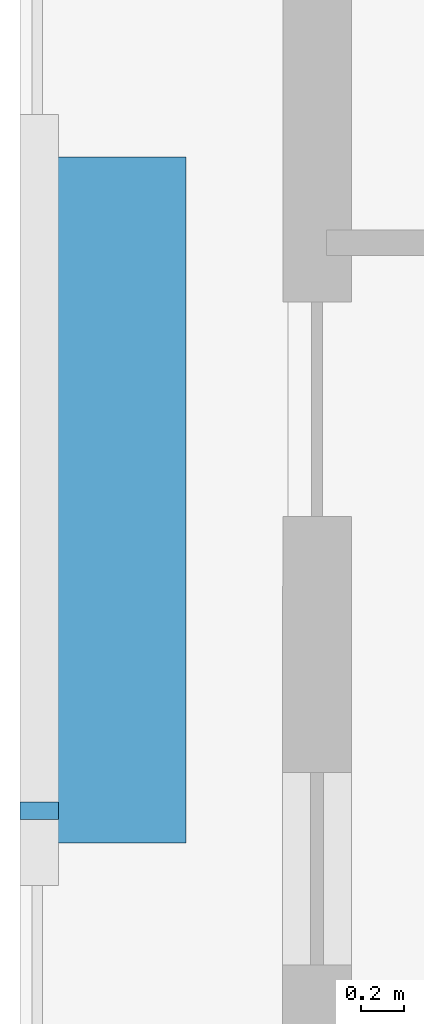
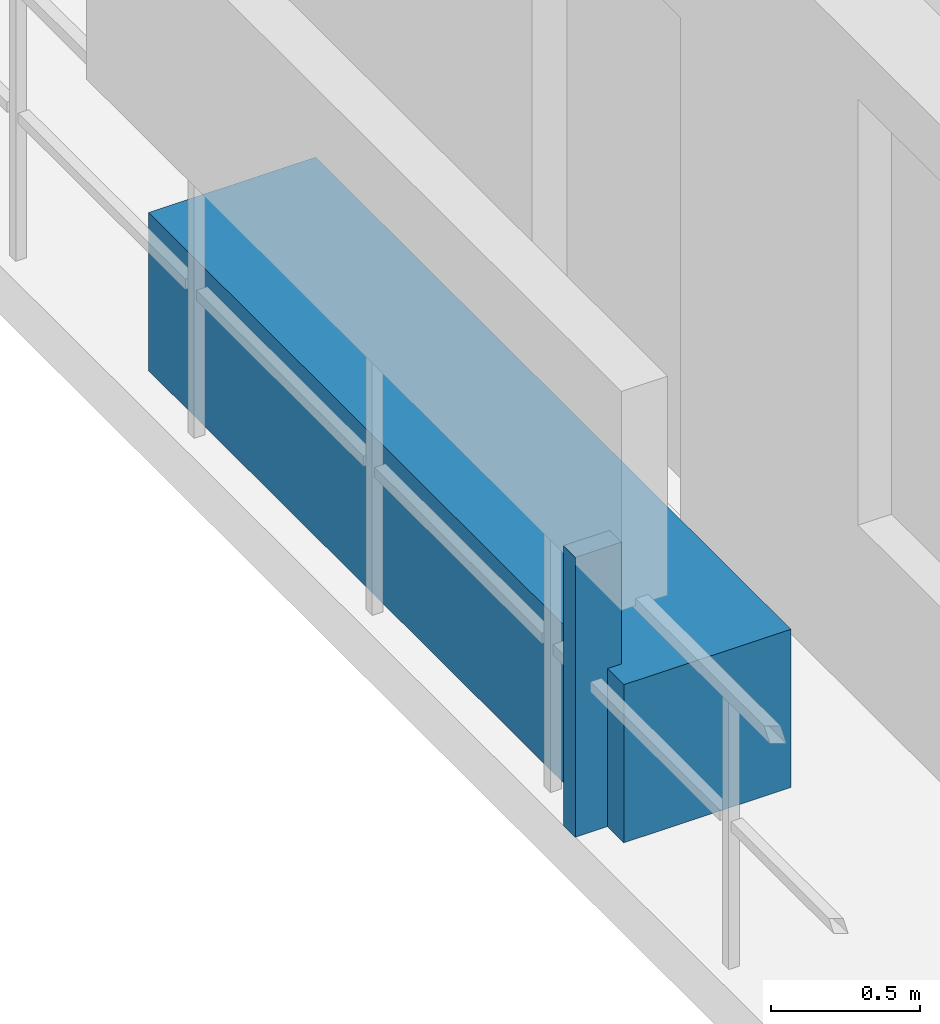
# One storey, part 28 of 33: 2 discrete accessories.
"""IFC4 building model written with IfcOpenShell, lengths in metres."""

import ifcopenshell
import ifcopenshell.guid

model = None  # the IFC model being written
_history = None  # IfcOwnerHistory: only IFC2X3 demands one
_inside = {}  # id of a spatial element -> (the spatial element, [elements in it])
_under = {}  # id of a project, library or spatial element -> (it, [spatial elements below it])
_declared = {}  # id of a project -> (the project, [libraries it declares])
_typed = {}  # id of a type object -> (the type object, [elements of that type])
_made_of = {}  # id of a material, layer set ... -> (it, [elements and type objects made of it])


def new_model(schema):
    """Start an empty IFC model of exactly this schema.

    Asked for "IFC4X3", IfcOpenShell would pick the latest addendum, in which some entities
    have other attributes; the version numbers below select the first issue.
    IFC2X3 requires an IfcOwnerHistory on every rooted entity: one is made here for all.
    """
    global model, _history
    if schema == "IFC4X3":
        model = ifcopenshell.file(schema_version=(4, 3, 0, 0))
    else:
        model = ifcopenshell.file(schema=schema)
    _inside.clear()
    _under.clear()
    _declared.clear()
    _typed.clear()
    _made_of.clear()
    _history = None
    if model.schema == "IFC2X3":
        org = make("IfcOrganization", Name="unknown")
        user = make(
            "IfcPersonAndOrganization",
            ThePerson=make("IfcPerson", FamilyName="unknown"),
            TheOrganization=org,
        )
        app = make(
            "IfcApplication",
            ApplicationDeveloper=org,
            Version="unknown",
            ApplicationFullName="unknown",
            ApplicationIdentifier="unknown",
        )
        _history = make(
            "IfcOwnerHistory",
            OwningUser=user,
            OwningApplication=app,
            ChangeAction="ADDED",
            CreationDate=0,
        )
    return model


def make(cls, **values):
    """One entity of the class cls with the attributes given. An attribute that is None is left unset."""
    return model.create_entity(
        cls, **{name: value for name, value in values.items() if value is not None}
    )


def rooted(cls, **values):
    """An entity with a GlobalId (a new one), such as an element, a storey or a relation."""
    return make(cls, GlobalId=ifcopenshell.guid.new(), OwnerHistory=_history, **values)


def si_unit(unit_type, name, prefix=None):
    """IfcSIUnit, for example si_unit("LENGTHUNIT", "METRE", prefix="MILLI")."""
    return make("IfcSIUnit", UnitType=unit_type, Prefix=prefix, Name=name)


def assignment(units):
    """IfcUnitAssignment: the units of a project."""
    return None if units is None else make("IfcUnitAssignment", Units=units)


def point(xyz):
    """IfcCartesianPoint."""
    return None if xyz is None else make("IfcCartesianPoint", Coordinates=xyz)


def direction(xyz):
    """IfcDirection."""
    return None if xyz is None else make("IfcDirection", DirectionRatios=xyz)


def frame(location, z_axis=None, x_axis=None):
    """IfcAxis2Placement3D, a coordinate frame: its origin and axes. An axis left out is left unset."""
    return make(
        "IfcAxis2Placement3D",
        Location=point(location),
        Axis=direction(z_axis),
        RefDirection=direction(x_axis),
    )


def frame_2d(location, x_axis=None):
    """IfcAxis2Placement2D, a coordinate frame in the plane: its origin and x axis."""
    return make(
        "IfcAxis2Placement2D", Location=point(location), RefDirection=direction(x_axis)
    )


def origin():
    """The frame at (0, 0, 0) with its axes left unset."""
    return frame((0.0, 0.0, 0.0))


def origin_2d():
    """The frame at (0, 0) in the plane with its x axis left unset."""
    return frame_2d((0.0, 0.0))


def place(relative_to, where):
    """IfcLocalPlacement: puts the frame where relative to a parent placement (None: the world)."""
    return make(
        "IfcLocalPlacement", PlacementRelTo=relative_to, RelativePlacement=where
    )


def context(
    kind, dimensions, precision=None, world=None, true_north=None, identifier=None
):
    """IfcGeometricRepresentationContext, for example the 3D "Model" context."""
    return make(
        "IfcGeometricRepresentationContext",
        ContextIdentifier=identifier,
        ContextType=kind,
        CoordinateSpaceDimension=dimensions,
        Precision=precision,
        WorldCoordinateSystem=world,
        TrueNorth=true_north,
    )


def subcontext(parent, identifier, kind, view, scale=None):
    """IfcGeometricRepresentationSubContext, for example "Body" below "Model"."""
    return make(
        "IfcGeometricRepresentationSubContext",
        ContextIdentifier=identifier,
        ContextType=kind,
        ParentContext=parent,
        TargetScale=scale,
        TargetView=view,
    )


def project(units=None, contexts=None):
    """IfcProject with its units and contexts."""
    return rooted(
        "IfcProject",
        Name="project",
        RepresentationContexts=contexts,
        UnitsInContext=assignment(units),
    )


def spatial(cls, under=None, at=None, **own):
    """A site, building, storey or space (cls), placed at a placement, below another one or the project."""
    s = rooted(cls, ObjectPlacement=at, **own)
    if under is not None:
        _under.setdefault(under.id(), (under, []))[1].append(s)
    return s


def profile(cls, at=None, kind="AREA", **sizes):
    """A parametric profile (cls). Its sizes go by their IFC names, for example OverallWidth=200.0."""
    return make(cls, ProfileType=kind, Position=at, **sizes)


def rectangle(**sizes):
    """IfcRectangleProfileDef."""
    return profile("IfcRectangleProfileDef", **sizes)


def extrude(swept, where, along, depth):
    """IfcExtrudedAreaSolid: the profile swept, set in the frame where, extruded along a direction by depth."""
    return make(
        "IfcExtrudedAreaSolid",
        SweptArea=swept,
        Position=where,
        ExtrudedDirection=direction(along),
        Depth=depth,
    )


def shape(context_of_items, identifier, shape_type, items):
    """IfcShapeRepresentation: the items that make up one representation, for example the "Body"."""
    return make(
        "IfcShapeRepresentation",
        ContextOfItems=context_of_items,
        RepresentationIdentifier=identifier,
        RepresentationType=shape_type,
        Items=items,
    )


def material(Name=None, Category=None):
    """IfcMaterial."""
    return make("IfcMaterial", Name=Name, Category=Category)


def made_of(thing, what):
    """Note that an element or type object is made of a material, layer set ...; save() writes the relation."""
    if what is not None:
        _made_of.setdefault(what.id(), (what, []))[1].append(thing)
    return thing


def type_object(cls, material=None, **own):
    """A type object (cls), such as IfcWallType, which elements share."""
    return made_of(rooted(cls, **own), material)


def element(
    cls,
    number,
    at=None,
    inside=None,
    cuts=None,
    type_object=None,
    material=None,
    context=None,
    identifier="Body",
    shape_type=None,
    held_by="IfcProductDefinitionShape",
    body=None,
    shapes=None,
    **own,
):
    """One element of the class cls, such as IfcWall. Its Tag is "e" and its number.

    at: its placement. inside: the storey or other place that contains it. cuts: it is an
    opening in that element (IfcRelVoidsElement). A single representation is given by context,
    identifier, shape_type and body (its items); several are given by shapes. held_by: the class
    of the entity that holds the representations. save() writes the other relations.
    """
    e = rooted(cls, Tag="e%d" % number, ObjectPlacement=at, **own)
    if body is not None:
        shapes = [shape(context, identifier, shape_type, body)]
    if shapes is not None:
        e.Representation = make(held_by, Representations=shapes)
    if inside is not None:
        _inside.setdefault(inside.id(), (inside, []))[1].append(e)
    if cuts is not None:
        rooted(
            "IfcRelVoidsElement", RelatingBuildingElement=cuts, RelatedOpeningElement=e
        )
    if type_object is not None:
        _typed.setdefault(type_object.id(), (type_object, []))[1].append(e)
    return made_of(e, material)


def aggregate(whole, parts):
    """IfcRelAggregates: a whole, such as a stair, and the parts it consists of."""
    return rooted("IfcRelAggregates", RelatingObject=whole, RelatedObjects=parts)


def save(model, path):
    """Write the relations noted so far, then the file.

    IfcRelAggregates (storeys below a building ...), IfcRelContainedInSpatialStructure (elements
    in a storey), IfcRelDefinesByType, IfcRelAssociatesMaterial and IfcRelDeclares: one each for
    every whole, place, type object, material and project.
    """
    for whole, parts in _under.values():
        aggregate(whole, parts)
    for where, things in _inside.values():
        rooted(
            "IfcRelContainedInSpatialStructure",
            RelatedElements=things,
            RelatingStructure=where,
        )
    for kind, things in _typed.values():
        rooted("IfcRelDefinesByType", RelatedObjects=things, RelatingType=kind)
    for what, things in _made_of.values():
        rooted("IfcRelAssociatesMaterial", RelatedObjects=things, RelatingMaterial=what)
    for by, libraries in _declared.values():
        rooted("IfcRelDeclares", RelatingContext=by, RelatedDefinitions=libraries)
    model.write(path)


model = new_model("IFC4")

# Units and contexts
model_context = context("Model", 3, precision=1e-05, world=origin(), true_north=direction((0.0, 1.0)))
body_context = subcontext(model_context, "Body", "Model", "MODEL_VIEW")
ifc_project = project(units=[si_unit("LENGTHUNIT", "METRE"), si_unit("AREAUNIT", "SQUARE_METRE"), si_unit("VOLUMEUNIT", "CUBIC_METRE"), si_unit("PLANEANGLEUNIT", "RADIAN"), si_unit("MASSUNIT", "GRAM", prefix="KILO")], contexts=[model_context])

# Site, building, storey
site_placement = place(None, origin())
site = spatial("IfcSite", under=ifc_project, at=site_placement, CompositionType="ELEMENT")
building_placement = place(site_placement, origin())
building = spatial("IfcBuilding", under=site, at=building_placement, Name="Thornwick Lancets Civic Towers", CompositionType="ELEMENT")
storey_placement = place(building_placement, frame((0.0, 0.0, 214.5)))
storey = spatial("IfcBuildingStorey", under=building, at=storey_placement, Name="L57", CompositionType="ELEMENT", Elevation=214.5)

# Discrete accessories
ifc_material_1 = material(Name="Planted terracotta greenery planter", Category="masonry")
discrete_accessory_type_1 = type_object("IfcDiscreteAccessoryType", Name="ACC_PLANTER_BOX", PredefinedType="USERDEFINED", material=ifc_material_1)
discrete_accessory_1_placement = place(storey_placement, frame((0.800048828125, 27.0, 0.0), z_axis=(0.0, 0.0, 1.0), x_axis=(1.0, 0.0, 0.0)))
element("IfcDiscreteAccessory", 1, at=discrete_accessory_1_placement, inside=storey, type_object=discrete_accessory_type_1, Name="L57 Tower A Balcony Greenery Planter W", ObjectType="PLANTER", PredefinedType="USERDEFINED", context=body_context, shape_type="SweptSolid", body=[
    extrude(rectangle(XDim=0.64990234375, YDim=3.199951171875, at=origin_2d()), origin(), (0.0, 0.0, 1.0), 0.64990234375),
])
ifc_material_2 = material(Name="Stainless steel S355", Category="steel")
discrete_accessory_type_2 = type_object("IfcDiscreteAccessoryType", Name="ACC_SCREEN_BRACKET", PredefinedType="BRACKET", material=ifc_material_2)
discrete_accessory_2_placement = place(storey_placement, frame((0.43994140625, 25.550048828125, 0.0), z_axis=(0.0, 0.0, 1.0), x_axis=(0.0, 1.0, 0.0)))
element("IfcDiscreteAccessory", 2, at=discrete_accessory_2_placement, inside=storey, type_object=discrete_accessory_type_2, Name="L57 Tower A Balcony Screen Stanchion Bracket W-1", PredefinedType="BRACKET", context=body_context, shape_type="SweptSolid", body=[
    extrude(rectangle(XDim=0.080078125, YDim=0.179931640625, at=origin_2d()), origin(), (0.0, 0.0, 1.0), 1.14990234375),
])

save(model, "model.ifc")
